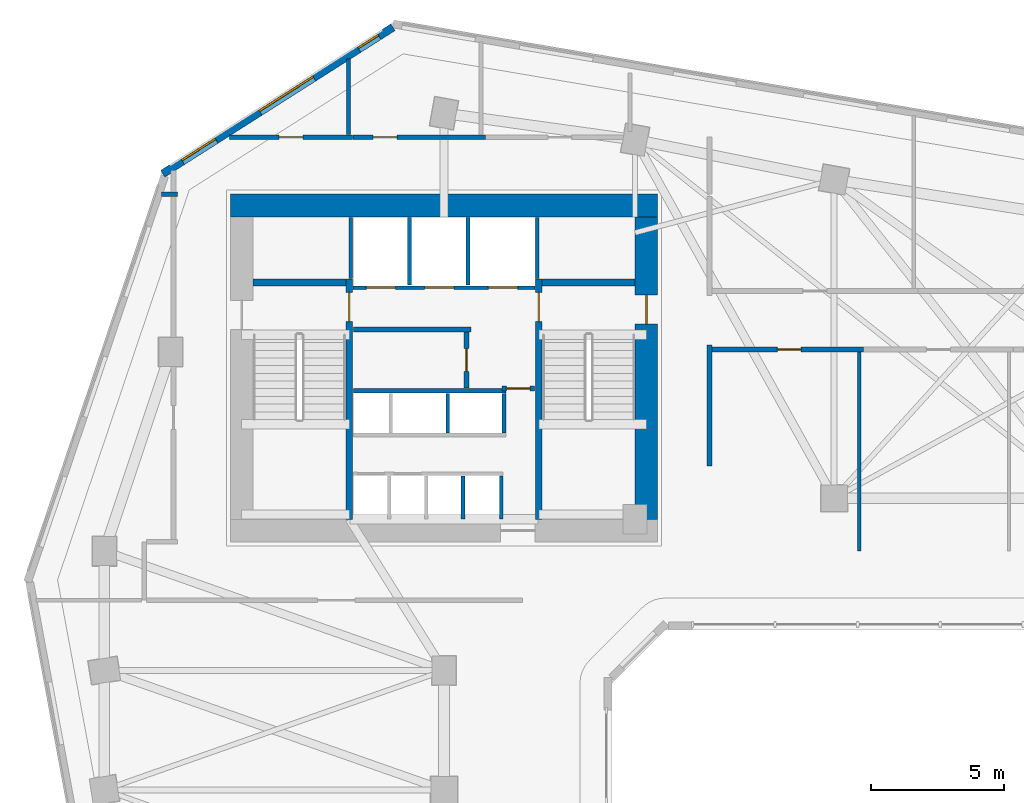
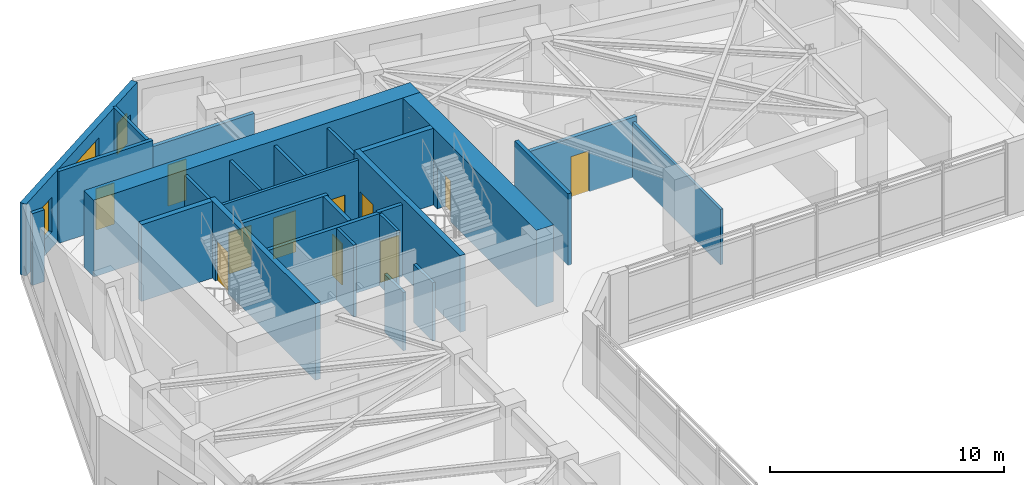
# One storey, part 6 of 9: 27 walls, 11 doors, 3 windows, 14 openings.
"""IFC4 building model written with IfcOpenShell, lengths in metres."""

import ifcopenshell
import ifcopenshell.guid

model = None  # the IFC model being written
_history = None  # IfcOwnerHistory: only IFC2X3 demands one
_inside = {}  # id of a spatial element -> (the spatial element, [elements in it])
_under = {}  # id of a project, library or spatial element -> (it, [spatial elements below it])
_declared = {}  # id of a project -> (the project, [libraries it declares])
_typed = {}  # id of a type object -> (the type object, [elements of that type])
_made_of = {}  # id of a material, layer set ... -> (it, [elements and type objects made of it])


def new_model(schema):
    """Start an empty IFC model of exactly this schema.

    Asked for "IFC4X3", IfcOpenShell would pick the latest addendum, in which some entities
    have other attributes; the version numbers below select the first issue.
    IFC2X3 requires an IfcOwnerHistory on every rooted entity: one is made here for all.
    """
    global model, _history
    if schema == "IFC4X3":
        model = ifcopenshell.file(schema_version=(4, 3, 0, 0))
    else:
        model = ifcopenshell.file(schema=schema)
    _inside.clear()
    _under.clear()
    _declared.clear()
    _typed.clear()
    _made_of.clear()
    _history = None
    if model.schema == "IFC2X3":
        org = make("IfcOrganization", Name="unknown")
        user = make(
            "IfcPersonAndOrganization",
            ThePerson=make("IfcPerson", FamilyName="unknown"),
            TheOrganization=org,
        )
        app = make(
            "IfcApplication",
            ApplicationDeveloper=org,
            Version="unknown",
            ApplicationFullName="unknown",
            ApplicationIdentifier="unknown",
        )
        _history = make(
            "IfcOwnerHistory",
            OwningUser=user,
            OwningApplication=app,
            ChangeAction="ADDED",
            CreationDate=0,
        )
    return model


def make(cls, **values):
    """One entity of the class cls with the attributes given. An attribute that is None is left unset."""
    return model.create_entity(
        cls, **{name: value for name, value in values.items() if value is not None}
    )


def rooted(cls, **values):
    """An entity with a GlobalId (a new one), such as an element, a storey or a relation."""
    return make(cls, GlobalId=ifcopenshell.guid.new(), OwnerHistory=_history, **values)


def si_unit(unit_type, name, prefix=None):
    """IfcSIUnit, for example si_unit("LENGTHUNIT", "METRE", prefix="MILLI")."""
    return make("IfcSIUnit", UnitType=unit_type, Prefix=prefix, Name=name)


def assignment(units):
    """IfcUnitAssignment: the units of a project."""
    return None if units is None else make("IfcUnitAssignment", Units=units)


def point(xyz):
    """IfcCartesianPoint."""
    return None if xyz is None else make("IfcCartesianPoint", Coordinates=xyz)


def direction(xyz):
    """IfcDirection."""
    return None if xyz is None else make("IfcDirection", DirectionRatios=xyz)


def frame(location, z_axis=None, x_axis=None):
    """IfcAxis2Placement3D, a coordinate frame: its origin and axes. An axis left out is left unset."""
    return make(
        "IfcAxis2Placement3D",
        Location=point(location),
        Axis=direction(z_axis),
        RefDirection=direction(x_axis),
    )


def frame_2d(location, x_axis=None):
    """IfcAxis2Placement2D, a coordinate frame in the plane: its origin and x axis."""
    return make(
        "IfcAxis2Placement2D", Location=point(location), RefDirection=direction(x_axis)
    )


def origin():
    """The frame at (0, 0, 0) with its axes left unset."""
    return frame((0.0, 0.0, 0.0))


def place(relative_to, where):
    """IfcLocalPlacement: puts the frame where relative to a parent placement (None: the world)."""
    return make(
        "IfcLocalPlacement", PlacementRelTo=relative_to, RelativePlacement=where
    )


def context(
    kind, dimensions, precision=None, world=None, true_north=None, identifier=None
):
    """IfcGeometricRepresentationContext, for example the 3D "Model" context."""
    return make(
        "IfcGeometricRepresentationContext",
        ContextIdentifier=identifier,
        ContextType=kind,
        CoordinateSpaceDimension=dimensions,
        Precision=precision,
        WorldCoordinateSystem=world,
        TrueNorth=true_north,
    )


def subcontext(parent, identifier, kind, view, scale=None):
    """IfcGeometricRepresentationSubContext, for example "Body" below "Model"."""
    return make(
        "IfcGeometricRepresentationSubContext",
        ContextIdentifier=identifier,
        ContextType=kind,
        ParentContext=parent,
        TargetScale=scale,
        TargetView=view,
    )


def project(units=None, contexts=None):
    """IfcProject with its units and contexts."""
    return rooted(
        "IfcProject",
        Name="project",
        RepresentationContexts=contexts,
        UnitsInContext=assignment(units),
    )


def spatial(cls, under=None, at=None, **own):
    """A site, building, storey or space (cls), placed at a placement, below another one or the project."""
    s = rooted(cls, ObjectPlacement=at, **own)
    if under is not None:
        _under.setdefault(under.id(), (under, []))[1].append(s)
    return s


def profile(cls, at=None, kind="AREA", **sizes):
    """A parametric profile (cls). Its sizes go by their IFC names, for example OverallWidth=200.0."""
    return make(cls, ProfileType=kind, Position=at, **sizes)


def rectangle(**sizes):
    """IfcRectangleProfileDef."""
    return profile("IfcRectangleProfileDef", **sizes)


def extrude(swept, where, along, depth):
    """IfcExtrudedAreaSolid: the profile swept, set in the frame where, extruded along a direction by depth."""
    return make(
        "IfcExtrudedAreaSolid",
        SweptArea=swept,
        Position=where,
        ExtrudedDirection=direction(along),
        Depth=depth,
    )


def shape(context_of_items, identifier, shape_type, items):
    """IfcShapeRepresentation: the items that make up one representation, for example the "Body"."""
    return make(
        "IfcShapeRepresentation",
        ContextOfItems=context_of_items,
        RepresentationIdentifier=identifier,
        RepresentationType=shape_type,
        Items=items,
    )


def source(mapping_origin, context_of_items, identifier, shape_type, items):
    """IfcRepresentationMap: a shape defined once, which mapped items show again and again."""
    return make(
        "IfcRepresentationMap",
        MappingOrigin=mapping_origin,
        MappedRepresentation=shape(context_of_items, identifier, shape_type, items),
    )


def transform(
    local_origin,
    x_axis=None,
    y_axis=None,
    z_axis=None,
    scale=None,
    scale2=None,
    scale3=None,
    uniform=True,
):
    """IfcCartesianTransformationOperator3D, or its non-uniform kind. x_axis, y_axis, z_axis: its Axis1, 2, 3."""
    if uniform:
        return make(
            "IfcCartesianTransformationOperator3D",
            Axis1=direction(x_axis),
            Axis2=direction(y_axis),
            LocalOrigin=point(local_origin),
            Scale=scale,
            Axis3=direction(z_axis),
        )
    return make(
        "IfcCartesianTransformationOperator3DnonUniform",
        Axis1=direction(x_axis),
        Axis2=direction(y_axis),
        LocalOrigin=point(local_origin),
        Scale=scale,
        Axis3=direction(z_axis),
        Scale2=scale2,
        Scale3=scale3,
    )


def mapped(mapping_source, mapping_target):
    """IfcMappedItem: shows the shape of a source again, moved by a transform."""
    return make(
        "IfcMappedItem", MappingSource=mapping_source, MappingTarget=mapping_target
    )


def material(Name=None, Category=None):
    """IfcMaterial."""
    return make("IfcMaterial", Name=Name, Category=Category)


def layer(
    of_material, thickness, ventilated=None, Name=None, Category=None, Priority=None
):
    """IfcMaterialLayer: one layer of a wall or slab, of a material (None: an air gap)."""
    return make(
        "IfcMaterialLayer",
        Material=of_material,
        LayerThickness=thickness,
        IsVentilated=ventilated,
        Name=Name,
        Category=Category,
        Priority=Priority,
    )


def layer_set(layers, Name=None):
    """IfcMaterialLayerSet."""
    return make("IfcMaterialLayerSet", MaterialLayers=layers, LayerSetName=Name)


def made_of(thing, what):
    """Note that an element or type object is made of a material, layer set ...; save() writes the relation."""
    if what is not None:
        _made_of.setdefault(what.id(), (what, []))[1].append(thing)
    return thing


def type_object(cls, material=None, **own):
    """A type object (cls), such as IfcWallType, which elements share."""
    return made_of(rooted(cls, **own), material)


def element(
    cls,
    number,
    at=None,
    inside=None,
    cuts=None,
    type_object=None,
    material=None,
    context=None,
    identifier="Body",
    shape_type=None,
    held_by="IfcProductDefinitionShape",
    body=None,
    shapes=None,
    **own,
):
    """One element of the class cls, such as IfcWall. Its Tag is "e" and its number.

    at: its placement. inside: the storey or other place that contains it. cuts: it is an
    opening in that element (IfcRelVoidsElement). A single representation is given by context,
    identifier, shape_type and body (its items); several are given by shapes. held_by: the class
    of the entity that holds the representations. save() writes the other relations.
    """
    e = rooted(cls, Tag="e%d" % number, ObjectPlacement=at, **own)
    if body is not None:
        shapes = [shape(context, identifier, shape_type, body)]
    if shapes is not None:
        e.Representation = make(held_by, Representations=shapes)
    if inside is not None:
        _inside.setdefault(inside.id(), (inside, []))[1].append(e)
    if cuts is not None:
        rooted(
            "IfcRelVoidsElement", RelatingBuildingElement=cuts, RelatedOpeningElement=e
        )
    if type_object is not None:
        _typed.setdefault(type_object.id(), (type_object, []))[1].append(e)
    return made_of(e, material)


def fill(opening, filler):
    """IfcRelFillsElement: the door or window that sits in an opening."""
    return rooted(
        "IfcRelFillsElement",
        RelatingOpeningElement=opening,
        RelatedBuildingElement=filler,
    )


def aggregate(whole, parts):
    """IfcRelAggregates: a whole, such as a stair, and the parts it consists of."""
    return rooted("IfcRelAggregates", RelatingObject=whole, RelatedObjects=parts)


def save(model, path):
    """Write the relations noted so far, then the file.

    IfcRelAggregates (storeys below a building ...), IfcRelContainedInSpatialStructure (elements
    in a storey), IfcRelDefinesByType, IfcRelAssociatesMaterial and IfcRelDeclares: one each for
    every whole, place, type object, material and project.
    """
    for whole, parts in _under.values():
        aggregate(whole, parts)
    for where, things in _inside.values():
        rooted(
            "IfcRelContainedInSpatialStructure",
            RelatedElements=things,
            RelatingStructure=where,
        )
    for kind, things in _typed.values():
        rooted("IfcRelDefinesByType", RelatedObjects=things, RelatingType=kind)
    for what, things in _made_of.values():
        rooted("IfcRelAssociatesMaterial", RelatedObjects=things, RelatingMaterial=what)
    for by, libraries in _declared.values():
        rooted("IfcRelDeclares", RelatingContext=by, RelatedDefinitions=libraries)
    model.write(path)


model = new_model("IFC4")

# Units and contexts
model_context = context("Model", 3, precision=1e-05, world=origin(), true_north=direction((0.0, 1.0)))
body_context = subcontext(model_context, "Body", "Model", "MODEL_VIEW")
ifc_project = project(units=[si_unit("LENGTHUNIT", "METRE"), si_unit("AREAUNIT", "SQUARE_METRE"), si_unit("VOLUMEUNIT", "CUBIC_METRE"), si_unit("PLANEANGLEUNIT", "RADIAN"), si_unit("MASSUNIT", "GRAM", prefix="KILO")], contexts=[model_context])

# Site, building, storey
site_placement = place(None, origin())
site = spatial("IfcSite", under=ifc_project, at=site_placement, CompositionType="ELEMENT")
building_placement = place(site_placement, origin())
building = spatial("IfcBuilding", under=site, at=building_placement, Name="Calvemar Wedge Station Tower", CompositionType="ELEMENT")
storey_placement = place(building_placement, frame((0.0, 0.0, 67.0)))
storey = spatial("IfcBuildingStorey", under=building, at=storey_placement, Name="L16", CompositionType="ELEMENT", Elevation=67.0)

# Wall, opening, door
ifc_material_1 = material(Name="Concrete C50", Category="concrete")
ifc_layer_1 = layer(ifc_material_1, 0.260009765625)
ifc_layer_set_1 = layer_set([ifc_layer_1], Name="Concrete C50")
wall_type_1 = type_object("IfcWallType", Name="SW-CORE-260", PredefinedType="SHEAR", material=ifc_layer_set_1)
wall_1_placement = place(storey_placement, frame((20.22998046875, 34.199951171875, 0.0), z_axis=(0.0, 0.0, 1.0), x_axis=(0.0, 1.0, 0.0)))
wall_1 = element("IfcWall", 1, at=wall_1_placement, inside=storey, type_object=wall_type_1, Name="Storey L16 Core Shear Wall SPINE-W", PredefinedType="SHEAR", context=body_context, shape_type="SweptSolid", body=[
    extrude(rectangle(XDim=9.06005859375, YDim=0.260009765625, at=frame_2d((4.530029296875, 0.0))), origin(), (0.0, 0.0, 1.0), 4.0),
])
shared_shape_1 = source(origin(), body_context, "Body", "SweptSolid", [
    extrude(rectangle(XDim=1.10009765625, YDim=2.14990234375, at=frame_2d((0.550048828125, 1.074951171875))), frame((0.0, 0.14013671875, 0.0), z_axis=(0.0, -1.0, 0.0), x_axis=(1.0, 0.0, 0.0)), (0.0, 0.0, 1.0), 0.280029296875),
])
opening_1_placement = place(wall_1_placement, frame((7.449951171875, 0.0, 0.0)))
opening_1 = element("IfcOpeningElement", 2, at=opening_1_placement, cuts=wall_1, Name="Opening FD-90", PredefinedType="OPENING", context=body_context, shape_type="MappedRepresentation", body=[
    mapped(shared_shape_1, transform((0.0, 0.0, 0.0), scale=1.0)),
])
ifc_material_2 = material(Name="Galvanized fire-rated steel door leaf P-90", Category="steel")
door_type_1 = type_object("IfcDoorType", Name="DR-FD90-1100", OperationType="NOTDEFINED", PredefinedType="DOOR", material=ifc_material_2)
shared_shape_2 = source(origin(), body_context, "Body", "SweptSolid", [
    extrude(rectangle(XDim=1.10009765625, YDim=2.14990234375, at=frame_2d((0.550048828125, 1.074951171875))), frame((0.0, 0.02490234375, 0.0), z_axis=(0.0, -1.0, 0.0), x_axis=(1.0, 0.0, 0.0)), (0.0, 0.0, 1.0), 0.050048828125),
])
door_1_placement = place(opening_1_placement, origin())
door_1 = element("IfcDoor", 3, at=door_1_placement, inside=storey, type_object=door_type_1, Name="L16 FF Lobby to Stair ST-C1 Door", OperationType="SINGLE_SWING_LEFT", OverallHeight=2.14990234375, OverallWidth=1.10009765625, PredefinedType="DOOR", context=body_context, shape_type="MappedRepresentation", body=[
    mapped(shared_shape_2, transform((0.0, 0.0, 0.0), scale=1.0)),
])
fill(opening_1, door_1)

wall_2_placement = place(storey_placement, frame((27.3701171875, 34.199951171875, 0.0), z_axis=(0.0, 0.0, 1.0), x_axis=(0.0, 1.0, 0.0)))
wall_2 = element("IfcWall", 4, at=wall_2_placement, inside=storey, type_object=wall_type_1, Name="Storey L16 Core Shear Wall SPINE-E", PredefinedType="SHEAR", context=body_context, shape_type="SweptSolid", body=[
    extrude(rectangle(XDim=9.06005859375, YDim=0.260009765625, at=frame_2d((4.530029296875, 0.0))), origin(), (0.0, 0.0, 1.0), 4.0),
])
opening_2_placement = place(wall_2_placement, frame((7.449951171875, 0.0, 0.0)))
opening_2 = element("IfcOpeningElement", 5, at=opening_2_placement, cuts=wall_2, Name="Opening FD-90", PredefinedType="OPENING", context=body_context, shape_type="MappedRepresentation", body=[
    mapped(shared_shape_1, transform((0.0, 0.0, 0.0), scale=1.0)),
])
door_2_placement = place(opening_2_placement, origin())
door_2 = element("IfcDoor", 6, at=door_2_placement, inside=storey, type_object=door_type_1, Name="L16 FF Lobby to Stair ST-C2 Door", OperationType="SINGLE_SWING_RIGHT", OverallHeight=2.14990234375, OverallWidth=1.10009765625, PredefinedType="DOOR", context=body_context, shape_type="MappedRepresentation", body=[
    mapped(shared_shape_2, transform((0.0, 0.0, 0.0), scale=1.0)),
])
fill(opening_2, door_2)

# Walls
for number, where, z_axis, x_axis, name in (
    (7, (16.60009765625, 43.1298828125, 0.0), (0.0, 0.0, 1.0), (1.0, 0.0, 0.0), "Storey L16 Core Shear Wall STC1-N"),
    (8, (27.5, 43.1298828125, 0.0), (0.0, 0.0, 1.0), (1.0, 0.0, 0.0), "Storey L16 Core Shear Wall STC2-N"),
):
    element("IfcWall", number, at=place(storey_placement, frame(where, z_axis=z_axis, x_axis=x_axis)), inside=storey, type_object=wall_type_1, Name=name, PredefinedType="SHEAR", context=body_context, shape_type="SweptSolid", body=[
        extrude(rectangle(XDim=3.5, YDim=0.260009765625, at=frame_2d((1.75, 0.0))), origin(), (0.0, 0.0, 1.0), 4.0),
    ])
ifc_material_3 = material(Name="Concrete C80", Category="concrete")
ifc_layer_2 = layer(ifc_material_3, 0.85009765625)
ifc_layer_set_2 = layer_set([ifc_layer_2], Name="Concrete C80")
wall_type_2 = type_object("IfcWallType", Name="SW-CORE-850", PredefinedType="SHEAR", material=ifc_layer_set_2)
wall_3_placement = place(storey_placement, frame((15.75, 46.02490234375, 0.0), z_axis=(0.0, 0.0, 1.0), x_axis=(1.0, 0.0, 0.0)))
element("IfcWall", 9, at=wall_3_placement, inside=storey, type_object=wall_type_2, Name="Storey L16 Core Shear Wall N", PredefinedType="SHEAR", context=body_context, shape_type="SweptSolid", body=[
    extrude(rectangle(XDim=16.10009765625, YDim=0.85009765625, at=frame_2d((8.050048828125, 0.0))), origin(), (0.0, 0.0, 1.0), 4.0),
])

# Wall, opening, door
wall_4_placement = place(storey_placement, frame((31.425048828125, 34.199951171875, 0.0), z_axis=(0.0, 0.0, 1.0), x_axis=(0.0, 1.0, 0.0)))
wall_4 = element("IfcWall", 10, at=wall_4_placement, inside=storey, type_object=wall_type_2, Name="Storey L16 Core Shear Wall E", PredefinedType="SHEAR", context=body_context, shape_type="SweptSolid", body=[
    extrude(rectangle(XDim=11.400146484375, YDim=0.85009765625, at=frame_2d((5.7001953125, 0.0))), origin(), (0.0, 0.0, 1.0), 4.0),
])
shared_shape_3 = source(origin(), body_context, "Body", "SweptSolid", [
    extrude(rectangle(XDim=1.10009765625, YDim=2.14990234375, at=frame_2d((0.550048828125, 1.074951171875))), frame((0.0, 0.43505859375, 0.0), z_axis=(0.0, -1.0, 0.0), x_axis=(1.0, 0.0, 0.0)), (0.0, 0.0, 1.0), 0.8701171875),
])
opening_3_placement = place(wall_4_placement, frame((7.35009765625, 0.0, 0.0)))
opening_3 = element("IfcOpeningElement", 11, at=opening_3_placement, cuts=wall_4, Name="Opening FD-90", PredefinedType="OPENING", context=body_context, shape_type="MappedRepresentation", body=[
    mapped(shared_shape_3, transform((0.0, 0.0, 0.0), scale=1.0)),
])
door_3_placement = place(opening_3_placement, origin())
door_3 = element("IfcDoor", 12, at=door_3_placement, inside=storey, type_object=door_type_1, Name="L16 East Corridor to Exit Stair ST-C2 Door", OperationType="SINGLE_SWING_RIGHT", OverallHeight=2.14990234375, OverallWidth=1.10009765625, PredefinedType="DOOR", context=body_context, shape_type="MappedRepresentation", body=[
    mapped(shared_shape_2, transform((0.0, 0.0, 0.0), scale=1.0)),
])
fill(opening_3, door_3)

# Wall
ifc_material_4 = material(Name="Double-stud fire-rated corridor partition")
ifc_layer_3 = layer(ifc_material_4, 0.179931640625)
ifc_layer_set_3 = layer_set([ifc_layer_3], Name="Double-stud fire-rated corridor partition")
wall_type_3 = type_object("IfcWallType", Name="W-CORR-180", PredefinedType="PARTITIONING", material=ifc_layer_set_3)
wall_5_placement = place(storey_placement, frame((24.81005859375, 41.35009765625, 0.0), z_axis=(0.0, 0.0, 1.0), x_axis=(-1.0, 0.0, 0.0)))
element("IfcWall", 13, at=wall_5_placement, inside=storey, type_object=wall_type_3, Name="Storey L16 Interior Partition WL-L16-001", PredefinedType="PARTITIONING", context=body_context, shape_type="SweptSolid", body=[
    extrude(rectangle(XDim=4.43017578125, YDim=0.179931640625, at=frame_2d((2.215087890625, 0.0))), origin(), (0.0, 0.0, 1.0), 3.75),
])

# Wall, opening, door
wall_6_placement = place(storey_placement, frame((24.64990234375, 41.256103515625, 0.0), z_axis=(0.0, 0.0, 1.0), x_axis=(0.0, -1.0, 0.0)))
wall_6 = element("IfcWall", 14, at=wall_6_placement, inside=storey, type_object=wall_type_3, Name="Storey L16 Interior Partition WL-L16-002", PredefinedType="PARTITIONING", context=body_context, shape_type="SweptSolid", body=[
    extrude(rectangle(XDim=2.106201171875, YDim=0.179931640625, at=frame_2d((1.05322265625, 0.0))), origin(), (0.0, 0.0, 1.0), 3.75),
])
shared_shape_4 = source(origin(), body_context, "Body", "SweptSolid", [
    extrude(rectangle(XDim=0.85009765625, YDim=2.14990234375, at=frame_2d((0.425048828125, 1.074951171875))), frame((0.0, 0.10009765625, 0.0), z_axis=(0.0, -1.0, 0.0), x_axis=(1.0, 0.0, 0.0)), (0.0, 0.0, 1.0), 0.199951171875),
])
opening_4_placement = place(wall_6_placement, frame((0.6279296875, 0.0, 0.0)))
opening_4 = element("IfcOpeningElement", 15, at=opening_4_placement, cuts=wall_6, Name="Opening FD-60S", PredefinedType="OPENING", context=body_context, shape_type="MappedRepresentation", body=[
    mapped(shared_shape_4, transform((0.0, 0.0, 0.0), scale=1.0)),
])
ifc_material_5 = material(Name="Fire-rated steel and hardwood service door EI 60", Category="steel")
door_type_2 = type_object("IfcDoorType", Name="DR-CORE-FD60-850", OperationType="NOTDEFINED", PredefinedType="DOOR", material=ifc_material_5)
shared_shape_5 = source(origin(), body_context, "Body", "SweptSolid", [
    extrude(rectangle(XDim=0.85009765625, YDim=2.14990234375, at=frame_2d((0.425048828125, 1.074951171875))), frame((0.0, 0.02490234375, 0.0), z_axis=(0.0, -1.0, 0.0), x_axis=(1.0, 0.0, 0.0)), (0.0, 0.0, 1.0), 0.050048828125),
])
door_4_placement = place(opening_4_placement, origin())
door_4 = element("IfcDoor", 16, at=door_4_placement, inside=storey, type_object=door_type_2, Name="L16 Cleaner and Linen Store Door", OperationType="SINGLE_SWING_LEFT", OverallHeight=2.14990234375, OverallWidth=0.85009765625, PredefinedType="DOOR", context=body_context, shape_type="MappedRepresentation", body=[
    mapped(shared_shape_5, transform((0.0, 0.0, 0.0), scale=1.0)),
])
fill(opening_4, door_4)

wall_7_placement = place(storey_placement, frame((27.199951171875, 39.1298828125, 0.0), z_axis=(0.0, 0.0, 1.0), x_axis=(-1.0, 0.0, 0.0)))
wall_7 = element("IfcWall", 17, at=wall_7_placement, inside=storey, type_object=wall_type_3, Name="Storey L16 Interior Partition WL-L16-003", PredefinedType="PARTITIONING", context=body_context, shape_type="SweptSolid", body=[
    extrude(rectangle(XDim=1.2099609375, YDim=0.179931640625, at=frame_2d((0.60498046875, 0.0))), origin(), (0.0, 0.0, 1.0), 3.75),
])
shared_shape_6 = source(origin(), body_context, "Body", "SweptSolid", [
    extrude(rectangle(XDim=0.89990234375, YDim=2.14990234375, at=frame_2d((0.449951171875, 1.074951171875))), frame((0.0, 0.10009765625, 0.0), z_axis=(0.0, -1.0, 0.0), x_axis=(1.0, 0.0, 0.0)), (0.0, 0.0, 1.0), 0.199951171875),
])
opening_5_placement = place(wall_7_placement, frame((0.155029296875, 0.0, 0.0)))
opening_5 = element("IfcOpeningElement", 18, at=opening_5_placement, cuts=wall_7, Name="Opening FD-60", PredefinedType="OPENING", context=body_context, shape_type="MappedRepresentation", body=[
    mapped(shared_shape_6, transform((0.0, 0.0, 0.0), scale=1.0)),
])
ifc_material_6 = material(Name="Fire-rated acoustic timber-core entrance door EI 60", Category="wood")
door_type_3 = type_object("IfcDoorType", Name="DR-FD60-900", OperationType="NOTDEFINED", PredefinedType="DOOR", material=ifc_material_6)
shared_shape_7 = source(origin(), body_context, "Body", "SweptSolid", [
    extrude(rectangle(XDim=0.89990234375, YDim=2.14990234375, at=frame_2d((0.449951171875, 1.074951171875))), frame((0.0, 0.02490234375, 0.0), z_axis=(0.0, -1.0, 0.0), x_axis=(1.0, 0.0, 0.0)), (0.0, 0.0, 1.0), 0.050048828125),
])
door_5_placement = place(opening_5_placement, origin())
door_5 = element("IfcDoor", 19, at=door_5_placement, inside=storey, type_object=door_type_3, Name="L16 Core Service Lobby Door", OperationType="SINGLE_SWING_RIGHT", OverallHeight=2.14990234375, OverallWidth=0.89990234375, PredefinedType="DOOR", context=body_context, shape_type="MappedRepresentation", body=[
    mapped(shared_shape_7, transform((0.0, 0.0, 0.0), scale=1.0)),
])
fill(opening_5, door_5)

# Wall
wall_8_placement = place(storey_placement, frame((13.760009765625, 46.449951171875, 0.0), z_axis=(0.0, 0.0, 1.0), x_axis=(-1.0, 0.0, 0.0)))
element("IfcWall", 20, at=wall_8_placement, inside=storey, type_object=wall_type_3, Name="Storey L16 Interior Partition WL-L16-008", PredefinedType="PARTITIONING", context=body_context, shape_type="SweptSolid", body=[
    extrude(rectangle(XDim=0.60107421875, YDim=0.179931640625, at=frame_2d((0.300537109375, 0.0))), origin(), (0.0, 0.0, 1.0), 3.75),
])

# Wall, opening, door
wall_9_placement = place(storey_placement, frame((15.709716796875, 48.60009765625, 0.0), z_axis=(0.0, 0.0, 1.0), x_axis=(1.0, 0.0, 0.0)))
wall_9 = element("IfcWall", 21, at=wall_9_placement, inside=storey, type_object=wall_type_3, Name="Storey L16 Interior Partition WL-L16-009", PredefinedType="PARTITIONING", context=body_context, shape_type="SweptSolid", body=[
    extrude(rectangle(XDim=4.650390625, YDim=0.179931640625, at=frame_2d((2.3251953125, 0.0))), origin(), (0.0, 0.0, 1.0), 3.75),
])
opening_6_placement = place(wall_9_placement, frame((1.875, 0.0, 0.0)))
opening_6 = element("IfcOpeningElement", 22, at=opening_6_placement, cuts=wall_9, Name="Opening D-01", PredefinedType="OPENING", context=body_context, shape_type="MappedRepresentation", body=[
    mapped(shared_shape_6, transform((0.0, 0.0, 0.0), scale=1.0)),
])
ifc_material_7 = material(Name="Architectural hardwood acoustic swing door", Category="wood")
door_type_4 = type_object("IfcDoorType", Name="DR-INT-900", OperationType="NOTDEFINED", PredefinedType="DOOR", material=ifc_material_7)
shared_shape_8 = source(origin(), body_context, "Body", "SweptSolid", [
    extrude(rectangle(XDim=0.89990234375, YDim=2.14990234375, at=frame_2d((0.449951171875, 1.074951171875))), frame((0.0, 0.02490234375, 0.0), z_axis=(0.0, -1.0, 0.0), x_axis=(1.0, 0.0, 0.0)), (0.0, 0.0, 1.0), 0.050048828125),
])
door_6_placement = place(opening_6_placement, origin())
door_6 = element("IfcDoor", 23, at=door_6_placement, inside=storey, type_object=door_type_4, Name="L16 Male Toilet Door", OperationType="SINGLE_SWING_RIGHT", OverallHeight=2.14990234375, OverallWidth=0.89990234375, PredefinedType="DOOR", context=body_context, shape_type="MappedRepresentation", body=[
    mapped(shared_shape_8, transform((0.0, 0.0, 0.0), scale=1.0)),
])
fill(opening_6, door_6)

wall_10_placement = place(storey_placement, frame((20.362060546875, 48.60009765625, 0.0), z_axis=(0.0, 0.0, 1.0), x_axis=(1.0, 0.0, 0.0)))
wall_10 = element("IfcWall", 24, at=wall_10_placement, inside=storey, type_object=wall_type_3, Name="Storey L16 Interior Partition WL-L16-010", PredefinedType="PARTITIONING", context=body_context, shape_type="SweptSolid", body=[
    extrude(rectangle(XDim=4.998046875, YDim=0.179931640625, at=frame_2d((2.4990234375, 0.0))), origin(), (0.0, 0.0, 1.0), 3.4189453125),
])
opening_7_placement = place(wall_10_placement, frame((0.76806640625, 0.0, 0.0)))
opening_7 = element("IfcOpeningElement", 25, at=opening_7_placement, cuts=wall_10, Name="Opening D-01", PredefinedType="OPENING", context=body_context, shape_type="MappedRepresentation", body=[
    mapped(shared_shape_6, transform((0.0, 0.0, 0.0), scale=1.0)),
])
door_7_placement = place(opening_7_placement, origin())
door_7 = element("IfcDoor", 26, at=door_7_placement, inside=storey, type_object=door_type_4, Name="L16 Co-Working Studio Door", OperationType="SINGLE_SWING_LEFT", OverallHeight=2.14990234375, OverallWidth=0.89990234375, PredefinedType="DOOR", context=body_context, shape_type="MappedRepresentation", body=[
    mapped(shared_shape_8, transform((0.0, 0.0, 0.0), scale=1.0)),
])
fill(opening_7, door_7)

# Wall
wall_11_placement = place(storey_placement, frame((33.800048828125, 40.760009765625, 0.0), z_axis=(0.0, 0.0, 1.0), x_axis=(0.0, -1.0, 0.0)))
element("IfcWall", 27, at=wall_11_placement, inside=storey, type_object=wall_type_3, Name="Storey L16 Interior Partition WL-L16-013", PredefinedType="PARTITIONING", context=body_context, shape_type="SweptSolid", body=[
    extrude(rectangle(XDim=4.56005859375, YDim=0.179931640625, at=frame_2d((2.280029296875, 0.0))), origin(), (0.0, 0.0, 1.0), 3.75),
])

# Wall, opening, door
wall_12_placement = place(storey_placement, frame((39.60498046875, 40.60009765625, 0.0), z_axis=(0.0, 0.0, 1.0), x_axis=(-1.0, 0.0, 0.0)))
wall_12 = element("IfcWall", 28, at=wall_12_placement, inside=storey, type_object=wall_type_3, Name="Storey L16 Interior Partition WL-L16-018", PredefinedType="PARTITIONING", context=body_context, shape_type="SweptSolid", body=[
    extrude(rectangle(XDim=5.7109375, YDim=0.179931640625, at=frame_2d((2.85546875, 0.0))), origin(), (0.0, 0.0, 1.0), 3.125),
])
opening_8_placement = place(wall_12_placement, frame((2.3447265625, 0.0, 0.0)))
opening_8 = element("IfcOpeningElement", 29, at=opening_8_placement, cuts=wall_12, Name="Opening D-01", PredefinedType="OPENING", context=body_context, shape_type="MappedRepresentation", body=[
    mapped(shared_shape_6, transform((0.0, 0.0, 0.0), scale=1.0)),
])
door_8_placement = place(opening_8_placement, origin())
door_8 = element("IfcDoor", 30, at=door_8_placement, inside=storey, type_object=door_type_4, Name="L16 Co-Working Studio Door", OperationType="SINGLE_SWING_LEFT", OverallHeight=2.14990234375, OverallWidth=0.89990234375, PredefinedType="DOOR", context=body_context, shape_type="MappedRepresentation", body=[
    mapped(shared_shape_8, transform((0.0, 0.0, 0.0), scale=1.0)),
])
fill(opening_8, door_8)

# Wall, openings, windows
ifc_material_8 = material(Name="Precast concrete C45", Category="concrete")
ifc_layer_4 = layer(ifc_material_8, 0.300048828125)
ifc_layer_set_4 = layer_set([ifc_layer_4], Name="Precast concrete C45")
wall_type_4 = type_object("IfcWallType", Name="W-EXT-GFRC-300", PredefinedType="SOLIDWALL", material=ifc_layer_set_4)
wall_13_placement = place(storey_placement, frame((21.874755859375, 52.742431640625, 0.0), z_axis=(0.0, 0.0, 1.0), x_axis=(-0.843662465249, -0.536873956092, 0.0)))
wall_13 = element("IfcWall", 31, at=wall_13_placement, inside=storey, type_object=wall_type_4, Name="Storey L16 Bronze GFRC Exterior Wall 11", PredefinedType="SOLIDWALL", context=body_context, shape_type="SweptSolid", body=[
    extrude(rectangle(XDim=10.283935546875, YDim=0.300048828125, at=frame_2d((5.14208984375, 0.0))), origin(), (0.0, 0.0, 1.0), 3.75),
])
shared_shape_9 = source(origin(), body_context, "Body", "SweptSolid", [
    extrude(rectangle(XDim=0.89990234375, YDim=1.60009765625, at=frame_2d((0.449951171875, 0.800048828125))), frame((0.0, 0.16015625, 0.0), z_axis=(0.0, -1.0, 0.0), x_axis=(1.0, 0.0, 0.0)), (0.0, 0.0, 1.0), 0.320068359375),
])
opening_9_placement = place(wall_13_placement, frame((0.62890625, 0.0, 0.85009765625)))
opening_9 = element("IfcOpeningElement", 32, at=opening_9_placement, cuts=wall_13, Name="Opening W7", PredefinedType="OPENING", context=body_context, shape_type="MappedRepresentation", body=[
    mapped(shared_shape_9, transform((0.0, 0.0, 0.0), scale=1.0)),
])
shared_shape_10 = source(origin(), body_context, "Body", "SweptSolid", [
    extrude(rectangle(XDim=2.39990234375, YDim=2.199951171875, at=frame_2d((1.199951171875, 1.10009765625))), frame((0.0, 0.16015625, 0.0), z_axis=(0.0, -1.0, 0.0), x_axis=(1.0, 0.0, 0.0)), (0.0, 0.0, 1.0), 0.320068359375),
])
opening_10_placement = place(wall_13_placement, frame((3.5419921875, 0.0, 0.85009765625)))
opening_10 = element("IfcOpeningElement", 33, at=opening_10_placement, cuts=wall_13, Name="Opening W1", PredefinedType="OPENING", context=body_context, shape_type="MappedRepresentation", body=[
    mapped(shared_shape_10, transform((0.0, 0.0, 0.0), scale=1.0)),
])
shared_shape_11 = source(origin(), body_context, "Body", "SweptSolid", [
    extrude(rectangle(XDim=1.5, YDim=1.800048828125, at=frame_2d((0.75, 0.89990234375))), frame((0.0, 0.16015625, 0.0), z_axis=(0.0, -1.0, 0.0), x_axis=(1.0, 0.0, 0.0)), (0.0, 0.0, 1.0), 0.320068359375),
])
opening_11_placement = place(wall_13_placement, frame((7.903076171875, 0.0, 0.85009765625)))
opening_11 = element("IfcOpeningElement", 34, at=opening_11_placement, cuts=wall_13, Name="Opening W3", PredefinedType="OPENING", context=body_context, shape_type="MappedRepresentation", body=[
    mapped(shared_shape_11, transform((0.0, 0.0, 0.0), scale=1.0)),
])
ifc_material_9 = material(Name="Low-E laminated insulated glass", Category="glass")
window_type_1 = type_object("IfcWindowType", Name="WIN-EXT-1", PartitioningType="SINGLE_PANEL", PredefinedType="WINDOW", material=ifc_material_9)
shared_shape_12 = source(origin(), body_context, "Body", "SweptSolid", [
    extrude(rectangle(XDim=2.39990234375, YDim=2.199951171875, at=frame_2d((1.199951171875, 1.10009765625))), frame((0.0, -0.014892578125, 0.0), z_axis=(0.0, -1.0, 0.0), x_axis=(1.0, 0.0, 0.0)), (0.0, 0.0, 1.0), 0.06005859375),
])
window_1_placement = place(opening_10_placement, origin())
window_1 = element("IfcWindow", 35, at=window_1_placement, inside=storey, type_object=window_type_1, Name="Storey L16 Recessed Window 11.2", OverallHeight=2.199951171875, OverallWidth=2.39990234375, PartitioningType="SINGLE_PANEL", PredefinedType="WINDOW", context=body_context, shape_type="MappedRepresentation", body=[
    mapped(shared_shape_12, transform((0.0, 0.0, 0.0), scale=1.0)),
])
fill(opening_10, window_1)
window_type_2 = type_object("IfcWindowType", Name="WIN-EXT-3", PartitioningType="SINGLE_PANEL", PredefinedType="WINDOW", material=ifc_material_9)
shared_shape_13 = source(origin(), body_context, "Body", "SweptSolid", [
    extrude(rectangle(XDim=1.5, YDim=1.800048828125, at=frame_2d((0.75, 0.89990234375))), frame((0.0, -0.014892578125, 0.0), z_axis=(0.0, -1.0, 0.0), x_axis=(1.0, 0.0, 0.0)), (0.0, 0.0, 1.0), 0.06005859375),
])
window_2_placement = place(opening_11_placement, origin())
window_2 = element("IfcWindow", 36, at=window_2_placement, inside=storey, type_object=window_type_2, Name="Storey L16 Recessed Window 11.3", OverallHeight=1.800048828125, OverallWidth=1.5, PartitioningType="SINGLE_PANEL", PredefinedType="WINDOW", context=body_context, shape_type="MappedRepresentation", body=[
    mapped(shared_shape_13, transform((0.0, 0.0, 0.0), scale=1.0)),
])
fill(opening_11, window_2)
window_type_3 = type_object("IfcWindowType", Name="WIN-EXT-7", PartitioningType="SINGLE_PANEL", PredefinedType="WINDOW", material=ifc_material_9)
shared_shape_14 = source(origin(), body_context, "Body", "SweptSolid", [
    extrude(rectangle(XDim=0.89990234375, YDim=1.60009765625, at=frame_2d((0.449951171875, 0.800048828125))), frame((0.0, -0.014892578125, 0.0), z_axis=(0.0, -1.0, 0.0), x_axis=(1.0, 0.0, 0.0)), (0.0, 0.0, 1.0), 0.06005859375),
])
window_3_placement = place(opening_9_placement, origin())
window_3 = element("IfcWindow", 37, at=window_3_placement, inside=storey, type_object=window_type_3, Name="Storey L16 Recessed Window 11.1", OverallHeight=1.60009765625, OverallWidth=0.89990234375, PartitioningType="SINGLE_PANEL", PredefinedType="WINDOW", context=body_context, shape_type="MappedRepresentation", body=[
    mapped(shared_shape_14, transform((0.0, 0.0, 0.0), scale=1.0)),
])
fill(opening_9, window_3)

# Wall, openings, doors
ifc_material_10 = material(Name="Reinforced concrete blockwork lift shaft wall", Category="masonry")
ifc_layer_5 = layer(ifc_material_10, 0.139892578125)
ifc_layer_set_5 = layer_set([ifc_layer_5], Name="Reinforced concrete blockwork lift shaft wall")
wall_type_5 = type_object("IfcWallType", Name="W-LIFT-160", PredefinedType="SOLIDWALL", material=ifc_layer_set_5)
wall_14_placement = place(storey_placement, frame((20.3701171875, 42.929931640625, 0.0), z_axis=(0.0, 0.0, 1.0), x_axis=(1.0, 0.0, 0.0)))
wall_14 = element("IfcWall", 38, at=wall_14_placement, inside=storey, type_object=wall_type_5, Name="Storey L16 Firefighting and Service Lift Shaft Front Wall", PredefinedType="SOLIDWALL", context=body_context, shape_type="SweptSolid", body=[
    extrude(rectangle(XDim=6.85986328125, YDim=0.139892578125, at=frame_2d((3.429931640625, 0.0))), origin(), (0.0, 0.0, 1.0), 3.75),
])
shared_shape_15 = source(origin(), body_context, "Body", "SweptSolid", [
    extrude(rectangle(XDim=1.10009765625, YDim=2.14990234375, at=frame_2d((0.550048828125, 1.074951171875))), frame((0.0, 0.080078125, 0.0), z_axis=(0.0, -1.0, 0.0), x_axis=(1.0, 0.0, 0.0)), (0.0, 0.0, 1.0), 0.159912109375),
])
opening_12_placement = place(wall_14_placement, frame((0.5, 0.0, 0.0)))
opening_12 = element("IfcOpeningElement", 39, at=opening_12_placement, cuts=wall_14, Name="Opening LD-FF", PredefinedType="OPENING", context=body_context, shape_type="MappedRepresentation", body=[
    mapped(shared_shape_15, transform((0.0, 0.0, 0.0), scale=1.0)),
])
opening_13_placement = place(wall_14_placement, frame((2.699951171875, 0.0, 0.0)))
opening_13 = element("IfcOpeningElement", 40, at=opening_13_placement, cuts=wall_14, Name="Opening LD-FF", PredefinedType="OPENING", context=body_context, shape_type="MappedRepresentation", body=[
    mapped(shared_shape_15, transform((0.0, 0.0, 0.0), scale=1.0)),
])
opening_14_placement = place(wall_14_placement, frame((5.10009765625, 0.0, 0.0)))
opening_14 = element("IfcOpeningElement", 41, at=opening_14_placement, cuts=wall_14, Name="Opening LD-STN", PredefinedType="OPENING", context=body_context, shape_type="MappedRepresentation", body=[
    mapped(shared_shape_15, transform((0.0, 0.0, 0.0), scale=1.0)),
])
ifc_material_11 = material(Name="Stainless steel firefighting lift sliding landing door", Category="steel")
door_type_5 = type_object("IfcDoorType", Name="DR-LD-FF-1100", OperationType="SLIDING_TO_LEFT", PredefinedType="DOOR", material=ifc_material_11)
shared_shape_16 = source(origin(), body_context, "Body", "SweptSolid", [
    extrude(rectangle(XDim=1.10009765625, YDim=2.14990234375, at=frame_2d((0.550048828125, 1.074951171875))), frame((0.0, 0.02490234375, 0.0), z_axis=(0.0, -1.0, 0.0), x_axis=(1.0, 0.0, 0.0)), (0.0, 0.0, 1.0), 0.050048828125),
])
door_9_placement = place(opening_12_placement, origin())
door_9 = element("IfcDoor", 42, at=door_9_placement, inside=storey, type_object=door_type_5, Name="L16 Lift FF-01 Sliding Landing Door", OperationType="SLIDING_TO_LEFT", OverallHeight=2.14990234375, OverallWidth=1.10009765625, PredefinedType="DOOR", context=body_context, shape_type="MappedRepresentation", body=[
    mapped(shared_shape_16, transform((0.0, 0.0, 0.0), scale=1.0)),
])
fill(opening_12, door_9)
door_10_placement = place(opening_13_placement, origin())
door_10 = element("IfcDoor", 43, at=door_10_placement, inside=storey, type_object=door_type_5, Name="L16 Lift FF-02 Sliding Landing Door", OperationType="SLIDING_TO_RIGHT", OverallHeight=2.14990234375, OverallWidth=1.10009765625, PredefinedType="DOOR", context=body_context, shape_type="MappedRepresentation", body=[
    mapped(shared_shape_16, transform((0.0, 0.0, 0.0), scale=1.0)),
])
fill(opening_13, door_10)
ifc_material_12 = material(Name="Stainless steel transit lift sliding landing door", Category="steel")
door_type_6 = type_object("IfcDoorType", Name="DR-LD-PAX-1100", OperationType="SLIDING_TO_LEFT", PredefinedType="DOOR", material=ifc_material_12)
shared_shape_17 = source(origin(), body_context, "Body", "SweptSolid", [
    extrude(rectangle(XDim=1.10009765625, YDim=2.14990234375, at=frame_2d((0.550048828125, 1.074951171875))), frame((0.0, 0.02490234375, 0.0), z_axis=(0.0, -1.0, 0.0), x_axis=(1.0, 0.0, 0.0)), (0.0, 0.0, 1.0), 0.050048828125),
])
door_11_placement = place(opening_14_placement, origin())
door_11 = element("IfcDoor", 44, at=door_11_placement, inside=storey, type_object=door_type_6, Name="L16 Lift SV-01 Sliding Landing Door", OperationType="SLIDING_TO_LEFT", OverallHeight=2.14990234375, OverallWidth=1.10009765625, PredefinedType="DOOR", context=body_context, shape_type="MappedRepresentation", body=[
    mapped(shared_shape_17, transform((0.0, 0.0, 0.0), scale=1.0)),
])
fill(opening_14, door_11)

# Walls
for number, where, z_axis, x_axis, name in (
    (45, (20.2900390625, 43.280029296875, 0.0), (0.0, 0.0, 1.0), (0.0, 1.0, 0.0), "Storey L16 Firefighting Lift Shaft Enclosure Wall W"),
    (46, (27.31005859375, 43.280029296875, 0.0), (0.0, 0.0, 1.0), (0.0, 1.0, 0.0), "Storey L16 Firefighting Lift Shaft Enclosure Wall E"),
):
    element("IfcWall", number, at=place(storey_placement, frame(where, z_axis=z_axis, x_axis=x_axis)), inside=storey, type_object=wall_type_5, Name=name, PredefinedType="SOLIDWALL", context=body_context, shape_type="SweptSolid", body=[
        extrude(rectangle(XDim=2.300048828125, YDim=0.139892578125, at=frame_2d((1.14990234375, 0.0))), origin(), (0.0, 0.0, 1.0), 3.75),
    ])
for number, where, z_axis, x_axis, name in (
    (47, (22.5, 43.02001953125, 0.0), (0.0, 0.0, 1.0), (0.0, 1.0, 0.0), "Storey L16 Firefighting Lift Shaft Enclosure Wall D1"),
    (48, (24.699951171875, 43.02001953125, 0.0), (0.0, 0.0, 1.0), (0.0, 1.0, 0.0), "Storey L16 Firefighting Lift Shaft Enclosure Wall D2"),
):
    element("IfcWall", number, at=place(storey_placement, frame(where, z_axis=z_axis, x_axis=x_axis)), inside=storey, type_object=wall_type_5, Name=name, PredefinedType="SOLIDWALL", context=body_context, shape_type="SweptSolid", body=[
        extrude(rectangle(XDim=2.56005859375, YDim=0.139892578125, at=frame_2d((1.280029296875, 0.0))), origin(), (0.0, 0.0, 1.0), 3.75),
    ])
for number, where, z_axis, x_axis, name in (
    (49, (25.9599609375, 34.219970703125, 0.0), (0.0, 0.0, 1.0), (0.0, 1.0, 0.0), "Storey L16 South Passenger Lift Shaft Wall E"),
    (50, (24.514892578125, 34.219970703125, 0.0), (0.0, 0.0, 1.0), (0.0, 1.0, 0.0), "Storey L16 South Passenger Lift Shaft Wall D3"),
):
    element("IfcWall", number, at=place(storey_placement, frame(where, z_axis=z_axis, x_axis=x_axis)), inside=storey, type_object=wall_type_5, Name=name, PredefinedType="SOLIDWALL", context=body_context, shape_type="SweptSolid", body=[
        extrude(rectangle(XDim=1.6201171875, YDim=0.139892578125, at=frame_2d((0.81005859375, 0.0))), origin(), (0.0, 0.0, 1.0), 3.0419921875),
    ])
for number, where, z_axis, x_axis, name in (
    (51, (26.06005859375, 37.4599609375, 0.0), (0.0, 0.0, 1.0), (0.0, 1.0, 0.0), "Storey L16 Upper Passenger Lift Shaft Wall E"),
    (52, (23.93505859375, 37.4599609375, 0.0), (0.0, 0.0, 1.0), (0.0, 1.0, 0.0), "Storey L16 Upper Passenger Lift Shaft Wall D2"),
):
    element("IfcWall", number, at=place(storey_placement, frame(where, z_axis=z_axis, x_axis=x_axis)), inside=storey, type_object=wall_type_5, Name=name, PredefinedType="SOLIDWALL", context=body_context, shape_type="SweptSolid", body=[
        extrude(rectangle(XDim=1.47998046875, YDim=0.139892578125, at=frame_2d((0.739990234375, 0.0))), origin(), (0.0, 0.0, 1.0), 3.75),
    ])
ifc_material_13 = material(Name="Insulated acoustic gypsum stud partition")
ifc_layer_6 = layer(ifc_material_13, 0.125)
ifc_layer_set_6 = layer_set([ifc_layer_6], Name="Insulated acoustic gypsum stud partition")
wall_type_6 = type_object("IfcWallType", Name="W-PART-125", PredefinedType="PARTITIONING", material=ifc_layer_set_6)
wall_15_placement = place(storey_placement, frame((39.445068359375, 40.506103515625, 0.0), z_axis=(0.0, 0.0, 1.0), x_axis=(0.0, -1.0, 0.0)))
element("IfcWall", 53, at=wall_15_placement, inside=storey, type_object=wall_type_6, Name="Storey L16 Interior Partition WL-L16-024", PredefinedType="PARTITIONING", context=body_context, shape_type="SweptSolid", body=[
    extrude(rectangle(XDim=7.506103515625, YDim=0.125, at=frame_2d((3.7529296875, 0.0))), origin(), (0.0, 0.0, 1.0), 2.89208984375),
])
ifc_material_14 = material(Name="Concrete blockwork and fireboard shaft wall", Category="masonry")
ifc_layer_7 = layer(ifc_material_14, 0.199951171875)
ifc_layer_set_7 = layer_set([ifc_layer_7], Name="Concrete blockwork and fireboard shaft wall")
wall_type_7 = type_object("IfcWallType", Name="W-SHAFT-200", PredefinedType="SOLIDWALL", material=ifc_layer_set_7)
wall_16_placement = place(storey_placement, frame((20.3798828125, 39.0400390625, 0.0), z_axis=(0.0, 0.0, 1.0), x_axis=(1.0, 0.0, 0.0)))
element("IfcWall", 54, at=wall_16_placement, inside=storey, type_object=wall_type_7, Name="Storey L16 Upper Passenger Lift Bank Rear Shaft Wall", PredefinedType="SOLIDWALL", context=body_context, shape_type="SweptSolid", body=[
    extrude(rectangle(XDim=5.75, YDim=0.179931640625, at=frame_2d((2.875, 0.0))), origin(), (0.0, 0.0, 1.0), 3.75),
])
ifc_material_15 = material(Name="Moisture-resistant acoustic bathroom partition")
ifc_layer_8 = layer(ifc_material_15, 0.14990234375)
ifc_layer_set_8 = layer_set([ifc_layer_8], Name="Moisture-resistant acoustic bathroom partition")
wall_type_8 = type_object("IfcWallType", Name="W-WET-150", PredefinedType="PARTITIONING", material=ifc_layer_set_8)
wall_17_placement = place(storey_placement, frame((20.199951171875, 51.540283203125, 0.0), z_axis=(0.0, 0.0, 1.0), x_axis=(0.0, -1.0, 0.0)))
element("IfcWall", 55, at=wall_17_placement, inside=storey, type_object=wall_type_8, Name="Storey L16 Interior Partition WL-L16-016", PredefinedType="PARTITIONING", context=body_context, shape_type="SweptSolid", body=[
    extrude(rectangle(XDim=2.84619140625, YDim=0.14990234375, at=frame_2d((1.423095703125, 0.0))), origin(), (0.0, 0.0, 1.0), 3.75),
])

save(model, "model.ifc")
